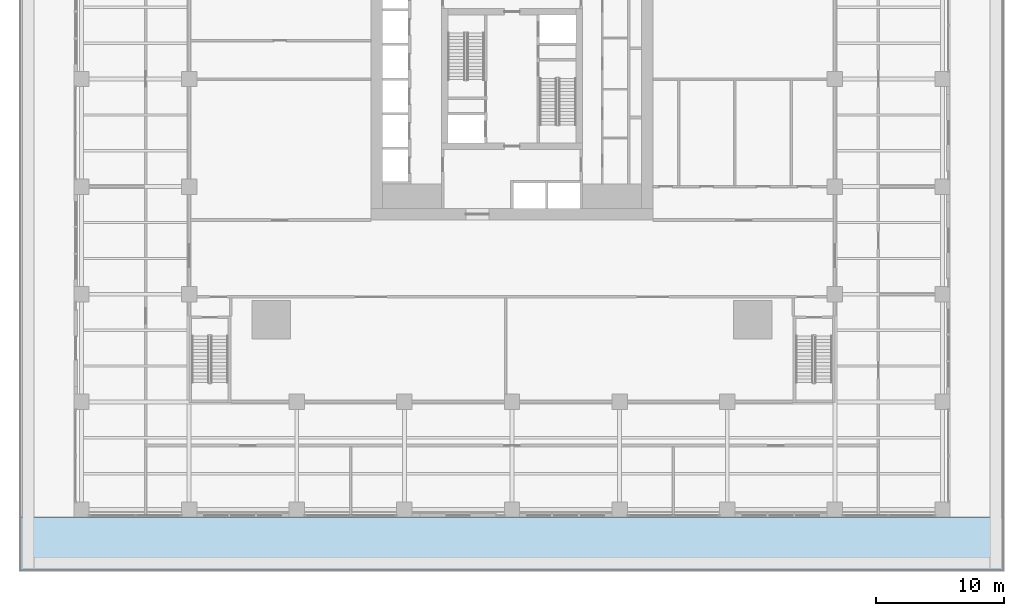
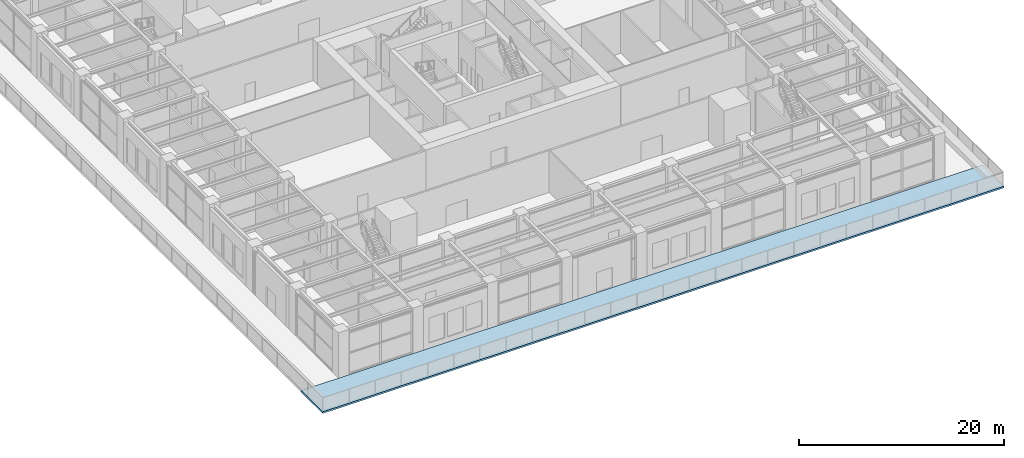
# One storey, part 14 of 36: 1 slab.
"""IFC4 building model written with IfcOpenShell, lengths in metres."""

from ifc_helpers import new_model, si_unit, direction, frame, origin, place, context, subcontext, project, spatial, polyline, outline, extrude, material, layer, layer_set, type_object, element, save


model = new_model("IFC4")

# Units and contexts
model_context = context("Model", 3, precision=1e-05, world=origin(), true_north=direction((0.0, 1.0)))
body_context = subcontext(model_context, "Body", "Model", "MODEL_VIEW")
ifc_project = project(units=[si_unit("LENGTHUNIT", "METRE"), si_unit("AREAUNIT", "SQUARE_METRE"), si_unit("VOLUMEUNIT", "CUBIC_METRE"), si_unit("PLANEANGLEUNIT", "RADIAN"), si_unit("MASSUNIT", "GRAM", prefix="KILO")], contexts=[model_context])

# Site, building, storey
site_placement = place(None, origin())
site = spatial("IfcSite", under=ifc_project, at=site_placement, CompositionType="ELEMENT")
building_placement = place(site_placement, origin())
building = spatial("IfcBuilding", under=site, at=building_placement, Name="Khepri Terraces", CompositionType="ELEMENT")
storey_placement = place(building_placement, frame((0.0, 0.0, 16.800048828125)))
storey = spatial("IfcBuildingStorey", under=building, at=storey_placement, Name="L03", CompositionType="ELEMENT", Elevation=16.800048828125)

# Slab
ifc_material = material(Name="Concrete C35/45", Category="concrete")
ifc_layer = layer(ifc_material, 0.199951171875, Name="Concrete C35/45", Category="concrete")
ifc_layer_set = layer_set([ifc_layer], Name="Concrete C35/45")
slab_type = type_object("IfcSlabType", Name="Composite terrace slab 200", PredefinedType="ROOF", material=ifc_layer_set)
slab_placement = place(storey_placement, frame((0.0, 0.0, -0.199951171875)))
element("IfcSlab", 1, at=slab_placement, inside=storey, type_object=slab_type, Name="Terrace slab L03-podium-0", PredefinedType="ROOF", context=body_context, shape_type="SweptSolid", body=[
    extrude(outline(polyline([(38.39990234375, -38.39990234375), (-38.39990234375, -38.39990234375), (-38.39990234375, -34.199951171875), (-34.199951171875, -34.199951171875), (34.199951171875, -34.199951171875), (38.39990234375, -34.199951171875), (38.39990234375, -38.39990234375)])), origin(), (0.0, 0.0, 1.0), 0.199951171875),
])

save(model, "model.ifc")
